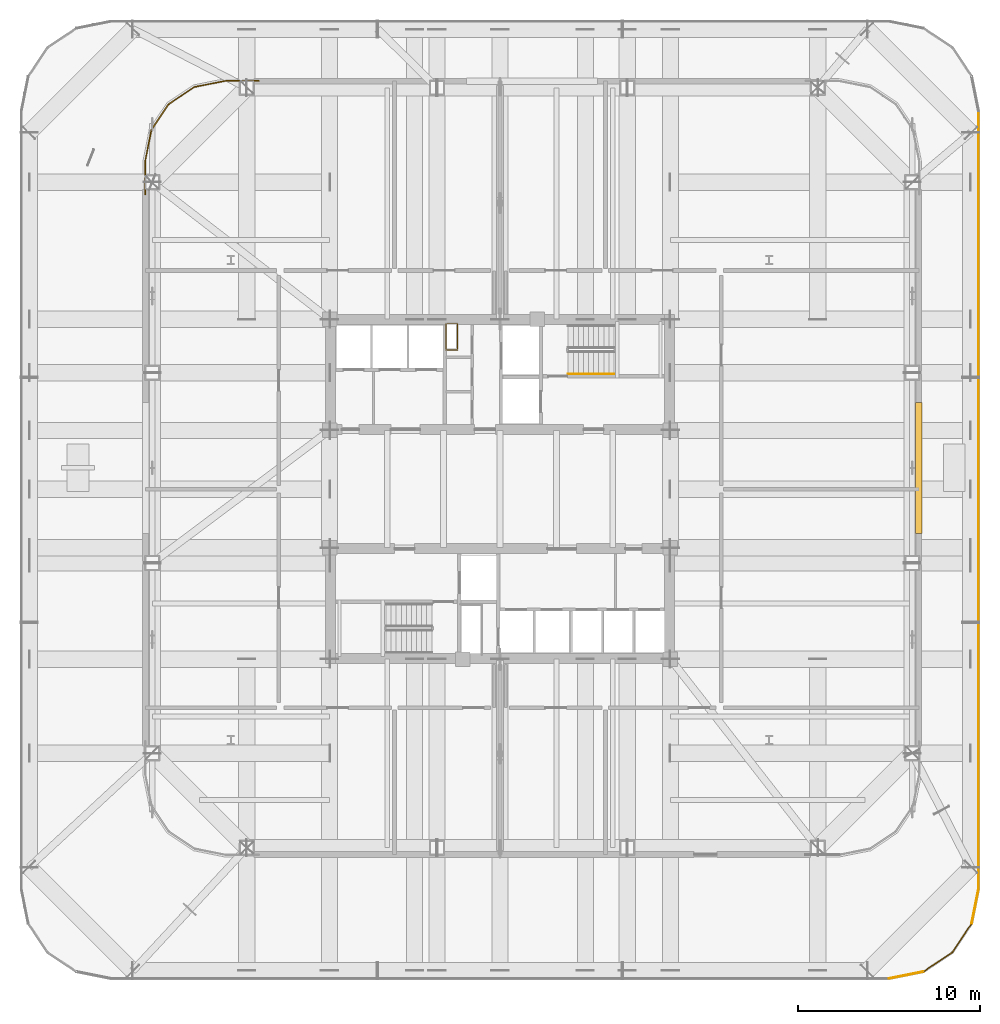
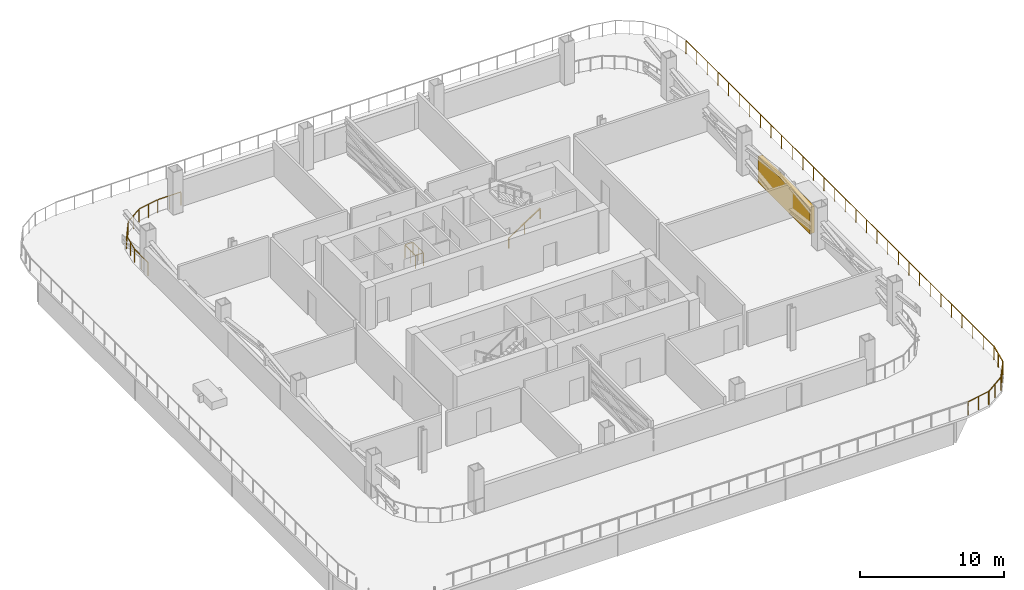
# One storey, part 13 of 16: 8 railings, 1 shading device.
"""IFC4 building model written with IfcOpenShell, lengths in metres."""

from ifc_helpers import new_model, si_unit, direction, frame, origin, origin_2d, place, context, subcontext, project, spatial, rectangle, extrude, material, type_object, element, save


model = new_model("IFC4")

# Units and contexts
model_context = context("Model", 3, precision=1e-05, world=origin(), true_north=direction((0.0, 1.0)))
body_context = subcontext(model_context, "Body", "Model", "MODEL_VIEW")
ifc_project = project(units=[si_unit("LENGTHUNIT", "METRE"), si_unit("AREAUNIT", "SQUARE_METRE"), si_unit("VOLUMEUNIT", "CUBIC_METRE"), si_unit("PLANEANGLEUNIT", "RADIAN"), si_unit("MASSUNIT", "GRAM", prefix="KILO")], contexts=[model_context])

# Site, building, storey
site_placement = place(None, origin())
site = spatial("IfcSite", under=ifc_project, at=site_placement, CompositionType="ELEMENT")
building_placement = place(site_placement, origin())
building = spatial("IfcBuilding", under=site, at=building_placement, Name="Qhalaya Broadcast Tower", CompositionType="ELEMENT")
storey_placement = place(building_placement, frame((0.0, 0.0, 57.89990234375)))
storey = spatial("IfcBuildingStorey", under=building, at=storey_placement, Name="L16", CompositionType="ELEMENT", Elevation=57.89990234375)

# Shading device
ifc_material_1 = material(Name="Fired Architectural Terracotta", Category="masonry")
shading_device_type = type_object("IfcShadingDeviceType", Name="Plant & Turbine-Slot Acoustic Louvre Screen LVS-01", PredefinedType="USERDEFINED", material=ifc_material_1)
shading_device_placement = place(storey_placement, frame((23.030029296875, 1.77001953125, 0.0), z_axis=(0.0, 0.0, 1.0), x_axis=(0.0, -1.0, 0.0)))
element("IfcShadingDevice", 1, at=shading_device_placement, inside=storey, type_object=shading_device_type, Name="L16 Plant Acoustic Louvre Screen E", ObjectType="LOUVRE", PredefinedType="USERDEFINED", context=body_context, shape_type="SweptSolid", body=[
    extrude(rectangle(XDim=7.199951171875, YDim=0.360107421875, at=origin_2d()), origin(), (0.0, 0.0, 1.0), 2.241943359375),
])

# Railings
ifc_material_2 = material(Name="Powder-Coated Galvanised Steel", Category="steel")
railing_type_1 = type_object("IfcRailingType", Name="Stair Wall Handrail 900", PredefinedType="HANDRAIL", material=ifc_material_2)
railing_1_placement = place(storey_placement, frame((3.75, 6.929931640625, 0.18017578125)))
element("IfcRailing", 2, at=railing_1_placement, inside=storey, type_object=railing_type_1, Name="L16 ST-1 Stair Handrail 1", PredefinedType="HANDRAIL", context=body_context, shape_type="SweptSolid", body=[
    extrude(rectangle(XDim=0.048095703125, YDim=0.048095703125, at=origin_2d()), frame((0.0, 0.0, 0.8759765625), z_axis=(0.841199657755, 0.0, 0.540724639528), x_axis=(0.0, 1.0, 0.0)), (0.0, 0.0, 1.0), 2.995849609375),
    extrude(rectangle(XDim=0.0419921875, YDim=0.0419921875, at=origin_2d()), origin(), (0.0, 0.0, 1.0), 0.849853515625),
    extrude(rectangle(XDim=0.0419921875, YDim=0.0419921875, at=origin_2d()), frame((1.260009765625, 0.0, 0.81005859375)), (0.0, 0.0, 1.0), 0.849853515625),
    extrude(rectangle(XDim=0.0419921875, YDim=0.0419921875, at=origin_2d()), frame((2.52001953125, 0.0, 1.619873046875)), (0.0, 0.0, 1.0), 0.849853515625),
])
railing_type_2 = type_object("IfcRailingType", Name="Stair Well & Landing Guardrail 1100", PredefinedType="GUARDRAIL", material=ifc_material_2)
railing_2_placement = place(storey_placement, frame((-2.340087890625, 8.239990234375, 0.0)))
element("IfcRailing", 3, at=railing_2_placement, inside=storey, type_object=railing_type_2, Name="L16 Service Riser Opening Safety Guard NRSR", PredefinedType="GUARDRAIL", context=body_context, shape_type="SweptSolid", body=[
    extrude(rectangle(XDim=0.048095703125, YDim=0.048095703125, at=origin_2d()), frame((0.0, 0.02880859375, 1.1259765625), z_axis=(0.0, 1.0, 0.0), x_axis=(-1.0, 0.0, 0.0)), (0.0, 0.0, 1.0), 1.42236328125),
    extrude(rectangle(XDim=0.048095703125, YDim=0.048095703125, at=origin_2d()), frame((-0.02880859375, 1.47998046875, 1.1259765625), z_axis=(-1.0, 0.0, 0.0), x_axis=(0.0, -1.0, 0.0)), (0.0, 0.0, 1.0), 0.582275390625),
    extrude(rectangle(XDim=0.048095703125, YDim=0.048095703125, at=origin_2d()), frame((-0.639892578125, 1.451171875, 1.1259765625), z_axis=(0.0, -1.0, 0.0), x_axis=(1.0, 0.0, 0.0)), (0.0, 0.0, 1.0), 1.42236328125),
    extrude(rectangle(XDim=0.048095703125, YDim=0.048095703125, at=origin_2d()), frame((-0.611083984375, 0.0, 1.1259765625), z_axis=(1.0, 0.0, 0.0), x_axis=(0.0, 1.0, 0.0)), (0.0, 0.0, 1.0), 0.582275390625),
    extrude(rectangle(XDim=0.0419921875, YDim=0.0419921875, at=origin_2d()), origin(), (0.0, 0.0, 1.0), 1.099853515625),
    extrude(rectangle(XDim=0.0419921875, YDim=0.0419921875, at=origin_2d()), frame((0.0, 0.739990234375, 0.0)), (0.0, 0.0, 1.0), 1.099853515625),
    extrude(rectangle(XDim=0.0419921875, YDim=0.0419921875, at=origin_2d()), frame((0.0, 1.47998046875, 0.0)), (0.0, 0.0, 1.0), 1.099853515625),
    extrude(rectangle(XDim=0.0419921875, YDim=0.0419921875, at=origin_2d()), frame((-0.639892578125, 1.47998046875, 0.0)), (0.0, 0.0, 1.0), 1.099853515625),
    extrude(rectangle(XDim=0.0419921875, YDim=0.0419921875, at=origin_2d()), frame((-0.639892578125, 0.739990234375, 0.0)), (0.0, 0.0, 1.0), 1.099853515625),
    extrude(rectangle(XDim=0.0419921875, YDim=0.0419921875, at=origin_2d()), frame((-0.639892578125, 0.0, 0.0)), (0.0, 0.0, 1.0), 1.099853515625),
])
railing_type_3 = type_object("IfcRailingType", Name="Terrace, Sky-Pool & Lookout Glass Balustrade 1150", PredefinedType="BALUSTRADE", material=ifc_material_2)
railing_3_placement = place(storey_placement, frame((26.320068359375, 21.39208984375, 0.0)))
element("IfcRailing", 4, at=railing_3_placement, inside=storey, type_object=railing_type_3, Name="L16 Perimeter Safety Balustrade BAL-TER1-16", PredefinedType="BALUSTRADE", context=body_context, shape_type="SweptSolid", body=[
    extrude(rectangle(XDim=0.048095703125, YDim=0.048095703125, at=origin_2d()), frame((0.0, 0.0, 1.1259765625), z_axis=(0.0, -1.0, 0.0), x_axis=(1.0, 0.0, 0.0)), (0.0, 0.0, 1.0), 42.7841796875),
    extrude(rectangle(XDim=0.0419921875, YDim=0.0419921875, at=origin_2d()), origin(), (0.0, 0.0, 1.0), 1.099853515625),
    extrude(rectangle(XDim=0.0419921875, YDim=0.0419921875, at=origin_2d()), frame((0.0, -1.475341796875, 0.0)), (0.0, 0.0, 1.0), 1.099853515625),
    extrude(rectangle(XDim=0.0419921875, YDim=0.0419921875, at=origin_2d()), frame((0.0, -2.95068359375, 0.0)), (0.0, 0.0, 1.0), 1.099853515625),
    extrude(rectangle(XDim=0.0419921875, YDim=0.0419921875, at=origin_2d()), frame((0.0, -4.426025390625, 0.0)), (0.0, 0.0, 1.0), 1.099853515625),
    extrude(rectangle(XDim=0.0419921875, YDim=0.0419921875, at=origin_2d()), frame((0.0, -5.9013671875, 0.0)), (0.0, 0.0, 1.0), 1.099853515625),
    extrude(rectangle(XDim=0.0419921875, YDim=0.0419921875, at=origin_2d()), frame((0.0, -7.37646484375, 0.0)), (0.0, 0.0, 1.0), 1.099853515625),
    extrude(rectangle(XDim=0.0419921875, YDim=0.0419921875, at=origin_2d()), frame((0.0, -8.851806640625, 0.0)), (0.0, 0.0, 1.0), 1.099853515625),
    extrude(rectangle(XDim=0.0419921875, YDim=0.0419921875, at=origin_2d()), frame((0.0, -10.3271484375, 0.0)), (0.0, 0.0, 1.0), 1.099853515625),
    extrude(rectangle(XDim=0.0419921875, YDim=0.0419921875, at=origin_2d()), frame((0.0, -11.802490234375, 0.0)), (0.0, 0.0, 1.0), 1.099853515625),
    extrude(rectangle(XDim=0.0419921875, YDim=0.0419921875, at=origin_2d()), frame((0.0, -13.27783203125, 0.0)), (0.0, 0.0, 1.0), 1.099853515625),
    extrude(rectangle(XDim=0.0419921875, YDim=0.0419921875, at=origin_2d()), frame((0.0, -14.753173828125, 0.0)), (0.0, 0.0, 1.0), 1.099853515625),
    extrude(rectangle(XDim=0.0419921875, YDim=0.0419921875, at=origin_2d()), frame((0.0, -16.228515625, 0.0)), (0.0, 0.0, 1.0), 1.099853515625),
    extrude(rectangle(XDim=0.0419921875, YDim=0.0419921875, at=origin_2d()), frame((0.0, -17.703857421875, 0.0)), (0.0, 0.0, 1.0), 1.099853515625),
    extrude(rectangle(XDim=0.0419921875, YDim=0.0419921875, at=origin_2d()), frame((0.0, -19.17919921875, 0.0)), (0.0, 0.0, 1.0), 1.099853515625),
    extrude(rectangle(XDim=0.0419921875, YDim=0.0419921875, at=origin_2d()), frame((0.0, -20.654541015625, 0.0)), (0.0, 0.0, 1.0), 1.099853515625),
    extrude(rectangle(XDim=0.0419921875, YDim=0.0419921875, at=origin_2d()), frame((0.0, -22.129638671875, 0.0)), (0.0, 0.0, 1.0), 1.099853515625),
    extrude(rectangle(XDim=0.0419921875, YDim=0.0419921875, at=origin_2d()), frame((0.0, -23.60498046875, 0.0)), (0.0, 0.0, 1.0), 1.099853515625),
    extrude(rectangle(XDim=0.0419921875, YDim=0.0419921875, at=origin_2d()), frame((0.0, -25.080322265625, 0.0)), (0.0, 0.0, 1.0), 1.099853515625),
    extrude(rectangle(XDim=0.0419921875, YDim=0.0419921875, at=origin_2d()), frame((0.0, -26.5556640625, 0.0)), (0.0, 0.0, 1.0), 1.099853515625),
    extrude(rectangle(XDim=0.0419921875, YDim=0.0419921875, at=origin_2d()), frame((0.0, -28.031005859375, 0.0)), (0.0, 0.0, 1.0), 1.099853515625),
    extrude(rectangle(XDim=0.0419921875, YDim=0.0419921875, at=origin_2d()), frame((0.0, -29.50634765625, 0.0)), (0.0, 0.0, 1.0), 1.099853515625),
    extrude(rectangle(XDim=0.0419921875, YDim=0.0419921875, at=origin_2d()), frame((0.0, -30.981689453125, 0.0)), (0.0, 0.0, 1.0), 1.099853515625),
    extrude(rectangle(XDim=0.0419921875, YDim=0.0419921875, at=origin_2d()), frame((0.0, -32.45703125, 0.0)), (0.0, 0.0, 1.0), 1.099853515625),
    extrude(rectangle(XDim=0.0419921875, YDim=0.0419921875, at=origin_2d()), frame((0.0, -33.932373046875, 0.0)), (0.0, 0.0, 1.0), 1.099853515625),
    extrude(rectangle(XDim=0.0419921875, YDim=0.0419921875, at=origin_2d()), frame((0.0, -35.40771484375, 0.0)), (0.0, 0.0, 1.0), 1.099853515625),
    extrude(rectangle(XDim=0.0419921875, YDim=0.0419921875, at=origin_2d()), frame((0.0, -36.8828125, 0.0)), (0.0, 0.0, 1.0), 1.099853515625),
    extrude(rectangle(XDim=0.0419921875, YDim=0.0419921875, at=origin_2d()), frame((0.0, -38.358154296875, 0.0)), (0.0, 0.0, 1.0), 1.099853515625),
    extrude(rectangle(XDim=0.0419921875, YDim=0.0419921875, at=origin_2d()), frame((0.0, -39.83349609375, 0.0)), (0.0, 0.0, 1.0), 1.099853515625),
    extrude(rectangle(XDim=0.0419921875, YDim=0.0419921875, at=origin_2d()), frame((0.0, -41.308837890625, 0.0)), (0.0, 0.0, 1.0), 1.099853515625),
    extrude(rectangle(XDim=0.0419921875, YDim=0.0419921875, at=origin_2d()), frame((0.0, -42.7841796875, 0.0)), (0.0, 0.0, 1.0), 1.099853515625),
])
railing_4_placement = place(storey_placement, frame((26.320068359375, -21.39208984375, 0.0)))
element("IfcRailing", 5, at=railing_4_placement, inside=storey, type_object=railing_type_3, Name="L16 Perimeter Safety Balustrade BAL-TER1-17", PredefinedType="BALUSTRADE", context=body_context, shape_type="SweptSolid", body=[
    extrude(rectangle(XDim=0.048095703125, YDim=0.048095703125, at=origin_2d()), frame((0.0, 0.0, 1.1259765625), z_axis=(-0.195092814307, -0.980784784652, 0.0), x_axis=(0.980784784652, -0.195092814307, 0.0)), (0.0, 0.0, 1.0), 1.92724609375),
    extrude(rectangle(XDim=0.0419921875, YDim=0.0419921875, at=origin_2d()), origin(), (0.0, 0.0, 1.0), 1.099853515625),
    extrude(rectangle(XDim=0.0419921875, YDim=0.0419921875, at=origin_2d()), frame((-0.18798828125, -0.945068359375, 0.0)), (0.0, 0.0, 1.0), 1.099853515625),
    extrude(rectangle(XDim=0.0419921875, YDim=0.0419921875, at=origin_2d()), frame((-0.3759765625, -1.89013671875, 0.0)), (0.0, 0.0, 1.0), 1.099853515625),
])
railing_5_placement = place(storey_placement, frame((25.944091796875, -23.2822265625, 0.0)))
element("IfcRailing", 6, at=railing_5_placement, inside=storey, type_object=railing_type_3, Name="L16 Perimeter Safety Balustrade BAL-TER1-18", PredefinedType="BALUSTRADE", context=body_context, shape_type="SweptSolid", body=[
    extrude(rectangle(XDim=0.048095703125, YDim=0.048095703125, at=origin_2d()), frame((0.0, 0.0, 1.1259765625), z_axis=(-0.555697986594, -0.831384235895, 0.0), x_axis=(0.831384235895, -0.555697986594, 0.0)), (0.0, 0.0, 1.0), 1.9189453125),
    extrude(rectangle(XDim=0.0419921875, YDim=0.0419921875, at=origin_2d()), origin(), (0.0, 0.0, 1.0), 1.099853515625),
    extrude(rectangle(XDim=0.0419921875, YDim=0.0419921875, at=origin_2d()), frame((-0.533203125, -0.7978515625, 0.0)), (0.0, 0.0, 1.0), 1.099853515625),
    extrude(rectangle(XDim=0.0419921875, YDim=0.0419921875, at=origin_2d()), frame((-1.06640625, -1.595458984375, 0.0)), (0.0, 0.0, 1.0), 1.099853515625),
])
railing_6_placement = place(storey_placement, frame((24.877685546875, -24.877685546875, 0.0)))
element("IfcRailing", 7, at=railing_6_placement, inside=storey, type_object=railing_type_3, Name="L16 Perimeter Safety Balustrade BAL-TER1-19", PredefinedType="BALUSTRADE", context=body_context, shape_type="SweptSolid", body=[
    extrude(rectangle(XDim=0.048095703125, YDim=0.048095703125, at=origin_2d()), frame((0.0, 0.0, 1.1259765625), z_axis=(-0.831384235895, -0.555697986594, 0.0), x_axis=(0.555697986594, -0.831384235895, 0.0)), (0.0, 0.0, 1.0), 1.9189453125),
    extrude(rectangle(XDim=0.0419921875, YDim=0.0419921875, at=origin_2d()), origin(), (0.0, 0.0, 1.0), 1.099853515625),
    extrude(rectangle(XDim=0.0419921875, YDim=0.0419921875, at=origin_2d()), frame((-0.7978515625, -0.533203125, 0.0)), (0.0, 0.0, 1.0), 1.099853515625),
    extrude(rectangle(XDim=0.0419921875, YDim=0.0419921875, at=origin_2d()), frame((-1.595458984375, -1.06640625, 0.0)), (0.0, 0.0, 1.0), 1.099853515625),
])
railing_7_placement = place(storey_placement, frame((23.2822265625, -25.944091796875, 0.0)))
element("IfcRailing", 8, at=railing_7_placement, inside=storey, type_object=railing_type_3, Name="L16 Perimeter Safety Balustrade BAL-TER1-20", PredefinedType="BALUSTRADE", context=body_context, shape_type="SweptSolid", body=[
    extrude(rectangle(XDim=0.048095703125, YDim=0.048095703125, at=origin_2d()), frame((0.0, 0.0, 1.1259765625), z_axis=(-0.980784784652, -0.195092814307, 0.0), x_axis=(0.195092814307, -0.980784784652, 0.0)), (0.0, 0.0, 1.0), 1.92724609375),
    extrude(rectangle(XDim=0.0419921875, YDim=0.0419921875, at=origin_2d()), origin(), (0.0, 0.0, 1.0), 1.099853515625),
    extrude(rectangle(XDim=0.0419921875, YDim=0.0419921875, at=origin_2d()), frame((-0.945068359375, -0.18798828125, 0.0)), (0.0, 0.0, 1.0), 1.099853515625),
    extrude(rectangle(XDim=0.0419921875, YDim=0.0419921875, at=origin_2d()), frame((-1.89013671875, -0.3759765625, 0.0)), (0.0, 0.0, 1.0), 1.099853515625),
])
railing_8_placement = place(storey_placement, frame((-19.510009765625, 16.802001953125, 0.0)))
element("IfcRailing", 9, at=railing_8_placement, inside=storey, type_object=railing_type_3, Name="L16 Rounded Corner Perimeter Guard 03", PredefinedType="BALUSTRADE", context=body_context, shape_type="SweptSolid", body=[
    extrude(rectangle(XDim=0.048095703125, YDim=0.048095703125, at=origin_2d()), frame((0.0, 0.0, 1.1259765625), z_axis=(0.0, 1.0, 0.0), x_axis=(-1.0, 0.0, 0.0)), (0.0, 0.0, 1.0), 1.827392578125),
    extrude(rectangle(XDim=0.048095703125, YDim=0.048095703125, at=origin_2d()), frame((0.005615234375, 1.884521484375, 1.1259765625), z_axis=(0.195024175165, 0.980798435511, 0.0), x_axis=(-0.980798435511, 0.195024175165, 0.0)), (0.0, 0.0, 1.0), 1.662353515625),
    extrude(rectangle(XDim=0.048095703125, YDim=0.048095703125, at=origin_2d()), frame((0.3515625, 3.567138671875, 1.1259765625), z_axis=(0.555590476887, 0.831456085426, 0.0), x_axis=(-0.831456085426, 0.555590476887, 0.0)), (0.0, 0.0, 1.0), 1.650390625),
    extrude(rectangle(XDim=0.048095703125, YDim=0.048095703125, at=origin_2d()), frame((1.308349609375, 4.9794921875, 1.1259765625), z_axis=(0.831390055854, 0.555689279209, 0.0), x_axis=(-0.555689279209, 0.831390055854, 0.0)), (0.0, 0.0, 1.0), 1.650390625),
    extrude(rectangle(XDim=0.048095703125, YDim=0.048095703125, at=origin_2d()), frame((2.73291015625, 5.918212890625, 1.1259765625), z_axis=(0.980803832953, 0.194997028864, 0.0), x_axis=(-0.194997028864, 0.980803832953, 0.0)), (0.0, 0.0, 1.0), 1.66259765625),
    extrude(rectangle(XDim=0.048095703125, YDim=0.048095703125, at=origin_2d()), frame((4.420654296875, 6.248046875, 1.1259765625), z_axis=(1.0, 0.0, 0.0), x_axis=(0.0, 1.0, 0.0)), (0.0, 0.0, 1.0), 1.827392578125),
    extrude(rectangle(XDim=0.0419921875, YDim=0.0419921875, at=origin_2d()), origin(), (0.0, 0.0, 1.0), 1.099853515625),
    extrude(rectangle(XDim=0.0419921875, YDim=0.0419921875, at=origin_2d()), frame((0.0, 0.92822265625, 0.0)), (0.0, 0.0, 1.0), 1.099853515625),
    extrude(rectangle(XDim=0.0419921875, YDim=0.0419921875, at=origin_2d()), frame((0.0, 1.856201171875, 0.0)), (0.0, 0.0, 1.0), 1.099853515625),
    extrude(rectangle(XDim=0.0419921875, YDim=0.0419921875, at=origin_2d()), frame((0.167724609375, 2.69970703125, 0.0)), (0.0, 0.0, 1.0), 1.099853515625),
    extrude(rectangle(XDim=0.0419921875, YDim=0.0419921875, at=origin_2d()), frame((0.33544921875, 3.543212890625, 0.0)), (0.0, 0.0, 1.0), 1.099853515625),
    extrude(rectangle(XDim=0.0419921875, YDim=0.0419921875, at=origin_2d()), frame((0.81005859375, 4.25341796875, 0.0)), (0.0, 0.0, 1.0), 1.099853515625),
    extrude(rectangle(XDim=0.0419921875, YDim=0.0419921875, at=origin_2d()), frame((1.284423828125, 4.96337890625, 0.0)), (0.0, 0.0, 1.0), 1.099853515625),
    extrude(rectangle(XDim=0.0419921875, YDim=0.0419921875, at=origin_2d()), frame((1.99462890625, 5.43798828125, 0.0)), (0.0, 0.0, 1.0), 1.099853515625),
    extrude(rectangle(XDim=0.0419921875, YDim=0.0419921875, at=origin_2d()), frame((2.70458984375, 5.91259765625, 0.0)), (0.0, 0.0, 1.0), 1.099853515625),
    extrude(rectangle(XDim=0.0419921875, YDim=0.0419921875, at=origin_2d()), frame((3.54833984375, 6.080322265625, 0.0)), (0.0, 0.0, 1.0), 1.099853515625),
    extrude(rectangle(XDim=0.0419921875, YDim=0.0419921875, at=origin_2d()), frame((4.391845703125, 6.248046875, 0.0)), (0.0, 0.0, 1.0), 1.099853515625),
    extrude(rectangle(XDim=0.0419921875, YDim=0.0419921875, at=origin_2d()), frame((5.31982421875, 6.248046875, 0.0)), (0.0, 0.0, 1.0), 1.099853515625),
    extrude(rectangle(XDim=0.0419921875, YDim=0.0419921875, at=origin_2d()), frame((6.248046875, 6.248046875, 0.0)), (0.0, 0.0, 1.0), 1.099853515625),
])

save(model, "model.ifc")
